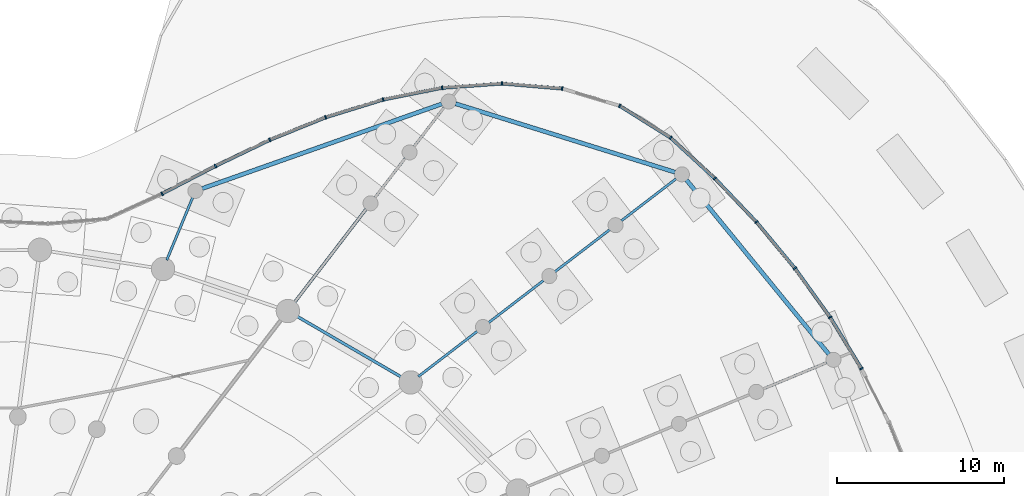
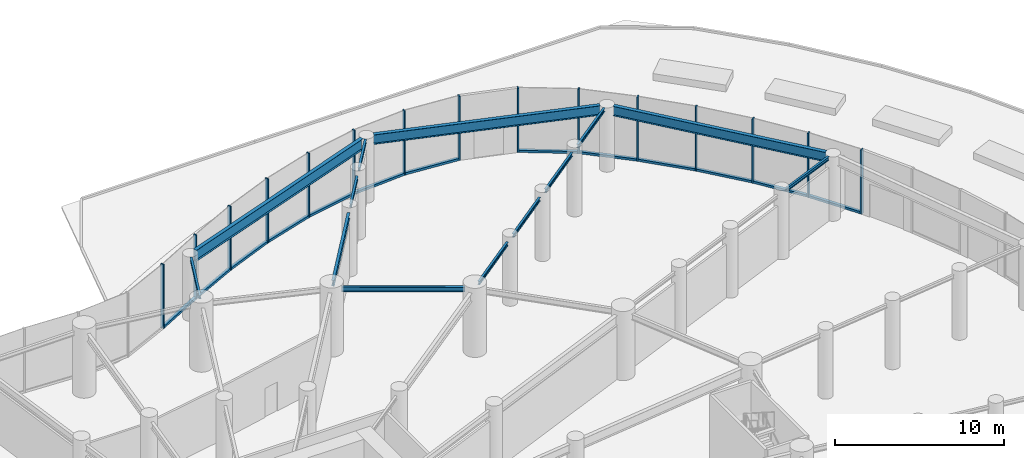
# One storey, part 12 of 28: 28 members, 13 beams, 3 elements without a shape of their own.
"""IFC4 building model written with IfcOpenShell, lengths in metres."""

from ifc_helpers import new_model, si_unit, direction, frame, origin, origin_2d, place, context, subcontext, project, spatial, rectangle, i_section, extrude, source, transform, mapped, material, layer, layer_set, material_profile, profile_set, type_object, element, aggregate, save


model = new_model("IFC4")

# Units and contexts
model_context = context("Model", 3, precision=1e-05, world=origin(), true_north=direction((0.0, 1.0)))
body_context = subcontext(model_context, "Body", "Model", "MODEL_VIEW")
ifc_project = project(units=[si_unit("LENGTHUNIT", "METRE"), si_unit("AREAUNIT", "SQUARE_METRE"), si_unit("VOLUMEUNIT", "CUBIC_METRE"), si_unit("PLANEANGLEUNIT", "RADIAN"), si_unit("MASSUNIT", "GRAM", prefix="KILO")], contexts=[model_context])

# Site, building, storey
site_placement = place(None, origin())
site = spatial("IfcSite", under=ifc_project, at=site_placement, CompositionType="ELEMENT")
building_placement = place(site_placement, origin())
building = spatial("IfcBuilding", under=site, at=building_placement, Name="Spindrift Exchange Tower", CompositionType="ELEMENT")
storey_placement = place(building_placement, origin())
storey = spatial("IfcBuildingStorey", under=building, at=storey_placement, Name="L00", CompositionType="ELEMENT", Elevation=0.0)

# Beams
ifc_material_1 = material(Name="Steel Grade 300", Category="steel")
ifc_material_profile_1 = material_profile(ifc_material_1, i_section(OverallWidth=0.14599609375, OverallDepth=0.251953125, WebThickness=0.006103515625, FlangeThickness=0.008544921875, FilletRadius=0.011962890625, at=origin_2d()), Name="250UB31.4")
ifc_profile_set_1 = profile_set([ifc_material_profile_1], Name="Steel Grade 300")
beam_type_1 = type_object("IfcBeamType", Name="Floor Beam 250UB31.4 Steel Grade 300", PredefinedType="BEAM", material=ifc_profile_set_1)
shared_shape_1 = source(origin(), body_context, "Body", "SweptSolid", [
    extrude(i_section(OverallWidth=0.14599609375, OverallDepth=0.251953125, WebThickness=0.006103515625, FlangeThickness=0.008544921875, FilletRadius=0.011962890625, at=origin_2d()), origin(), (0.0, 0.0, 1.0), 4.1396484375),
])
for number, where, z_axis, x_axis, name in (
    (1, (82.505859375, 71.407958984375, 4.52392578125), (0.793355694235, 0.608758361277, 0.0), (-0.608758361277, 0.793355694235, 0.0), "L00 radial beam R03C2"),
    (2, (86.472412109375, 74.45166015625, 4.52392578125), (0.793355694235, 0.608758361277, 0.0), (-0.608758361277, 0.793355694235, 0.0), "L00 radial beam R03C3"),
):
    element("IfcBeam", number, at=place(storey_placement, frame(where, z_axis=z_axis, x_axis=x_axis)), inside=storey, type_object=beam_type_1, Name=name, PredefinedType="BEAM", context=body_context, shape_type="MappedRepresentation", body=[
        mapped(shared_shape_1, transform((0.0, 0.0, 0.0), scale=1.0)),
    ])
shared_shape_2 = source(origin(), body_context, "Body", "SweptSolid", [
    extrude(i_section(OverallWidth=0.14599609375, OverallDepth=0.251953125, WebThickness=0.006103515625, FlangeThickness=0.008544921875, FilletRadius=0.011962890625, at=origin_2d()), origin(), (0.0, 0.0, 1.0), 4.139892578125),
])
for number, where, z_axis, x_axis, name in (
    (3, (98.910400390625, 67.430908203125, 4.52392578125), (0.923880985108, 0.382679925467, 0.0), (-0.382679925467, 0.923880985108, 0.0), "L00 radial beam R02C4"),
    (4, (90.43896484375, 77.495361328125, 4.52392578125), (0.793377548716, 0.608729878677, 0.0), (-0.608729878677, 0.793377548716, 0.0), "L00 radial beam R03C4"),
):
    element("IfcBeam", number, at=place(storey_placement, frame(where, z_axis=z_axis, x_axis=x_axis)), inside=storey, type_object=beam_type_1, Name=name, PredefinedType="BEAM", context=body_context, shape_type="MappedRepresentation", body=[
        mapped(shared_shape_2, transform((0.0, 0.0, 0.0), scale=1.0)),
    ])
shared_shape_3 = source(origin(), body_context, "Body", "SweptSolid", [
    extrude(i_section(OverallWidth=0.14599609375, OverallDepth=0.251953125, WebThickness=0.006103515625, FlangeThickness=0.008544921875, FilletRadius=0.011962890625, at=origin_2d()), origin(), (0.0, 0.0, 1.0), 4.44677734375),
])
beam_1_placement = place(storey_placement, frame((78.295654296875, 68.177490234375, 4.52392578125), z_axis=(0.79335002513, 0.608765749387, 0.0), x_axis=(-0.608765749387, 0.79335002513, 0.0)))
element("IfcBeam", 5, at=beam_1_placement, inside=storey, type_object=beam_type_1, Name="L00 radial beam R03C1", PredefinedType="BEAM", context=body_context, shape_type="MappedRepresentation", body=[
    mapped(shared_shape_3, transform((0.0, 0.0, 0.0), scale=1.0)),
])
ifc_material_profile_2 = material_profile(ifc_material_1, i_section(OverallWidth=0.177978515625, OverallDepth=0.406005859375, WebThickness=0.0078125, FlangeThickness=0.0126953125, FilletRadius=0.013916015625, at=origin_2d()), Name="410UB59.7")
ifc_profile_set_2 = profile_set([ifc_material_profile_2], Name="Steel Grade 300")
beam_type_2 = type_object("IfcBeamType", Name="Floor Beam 410UB59.7 Steel Grade 300", PredefinedType="BEAM", material=ifc_profile_set_2)
shared_shape_4 = source(origin(), body_context, "Body", "SweptSolid", [
    extrude(i_section(OverallWidth=0.177978515625, OverallDepth=0.406005859375, WebThickness=0.0078125, FlangeThickness=0.0126953125, FilletRadius=0.013916015625, at=origin_2d()), origin(), (0.0, 0.0, 1.0), 7.111328125),
])
beam_2_placement = place(storey_placement, frame((70.845458984375, 72.559814453125, 4.447021484375), z_axis=(0.608757985395, 0.793355982657, 0.0), x_axis=(-0.793355982657, 0.608757985395, 0.0)))
element("IfcBeam", 6, at=beam_2_placement, inside=storey, type_object=beam_type_2, Name="L00 radial beam R04C1", PredefinedType="BEAM", context=body_context, shape_type="MappedRepresentation", body=[
    mapped(shared_shape_4, transform((0.0, 0.0, 0.0), scale=1.0)),
])
shared_shape_5 = source(origin(), body_context, "Body", "SweptSolid", [
    extrude(i_section(OverallWidth=0.14599609375, OverallDepth=0.251953125, WebThickness=0.006103515625, FlangeThickness=0.008544921875, FilletRadius=0.011962890625, at=origin_2d()), origin(), (0.0, 0.0, 1.0), 2.978515625),
])
beam_3_placement = place(storey_placement, frame((75.697998046875, 78.8837890625, 4.52392578125), z_axis=(0.608763600102, 0.793351674348, 0.0), x_axis=(-0.793351674348, 0.608763600102, 0.0)))
element("IfcBeam", 7, at=beam_3_placement, inside=storey, type_object=beam_type_1, Name="L00 radial beam R04C2", PredefinedType="BEAM", context=body_context, shape_type="MappedRepresentation", body=[
    mapped(shared_shape_5, transform((0.0, 0.0, 0.0), scale=1.0)),
])
shared_shape_6 = source(origin(), body_context, "Body", "SweptSolid", [
    extrude(i_section(OverallWidth=0.14599609375, OverallDepth=0.251953125, WebThickness=0.006103515625, FlangeThickness=0.008544921875, FilletRadius=0.011962890625, at=origin_2d()), origin(), (0.0, 0.0, 1.0), 2.978271484375),
])
beam_4_placement = place(storey_placement, frame((78.03466796875, 81.92919921875, 4.52392578125), z_axis=(0.608803188652, 0.793321295244, 0.0), x_axis=(-0.793321295244, 0.608803188652, 0.0)))
element("IfcBeam", 8, at=beam_4_placement, inside=storey, type_object=beam_type_1, Name="L00 radial beam R04C3", PredefinedType="BEAM", context=body_context, shape_type="MappedRepresentation", body=[
    mapped(shared_shape_6, transform((0.0, 0.0, 0.0), scale=1.0)),
])
shared_shape_7 = source(origin(), body_context, "Body", "SweptSolid", [
    extrude(i_section(OverallWidth=0.14599609375, OverallDepth=0.251953125, WebThickness=0.006103515625, FlangeThickness=0.008544921875, FilletRadius=0.011962890625, at=origin_2d()), origin(), (0.0, 0.0, 1.0), 4.047119140625),
])
beam_5_placement = place(storey_placement, frame((63.244873046875, 75.147216796875, 4.52392578125), z_axis=(0.382648381401, 0.923894050317, 0.0), x_axis=(-0.923894050317, 0.382648381401, 0.0)))
element("IfcBeam", 9, at=beam_5_placement, inside=storey, type_object=beam_type_1, Name="L00 radial beam R05C1", PredefinedType="BEAM", context=body_context, shape_type="MappedRepresentation", body=[
    mapped(shared_shape_7, transform((0.0, 0.0, 0.0), scale=1.0)),
])
ifc_material_profile_3 = material_profile(ifc_material_1, i_section(OverallWidth=0.172119140625, OverallDepth=0.35888671875, WebThickness=0.008056640625, FlangeThickness=0.012939453125, FilletRadius=0.013916015625, at=origin_2d()), Name="360UB56.7")
ifc_profile_set_3 = profile_set([ifc_material_profile_3], Name="Steel Grade 300")
beam_type_3 = type_object("IfcBeamType", Name="Edge Beam 360UB56.7 Steel Grade 300", PredefinedType="SPANDREL", material=ifc_profile_set_3)
shared_shape_8 = source(origin(), body_context, "Body", "SweptSolid", [
    extrude(i_section(OverallWidth=0.172119140625, OverallDepth=0.35888671875, WebThickness=0.008056640625, FlangeThickness=0.012939453125, FilletRadius=0.013916015625, at=origin_2d()), origin(), (0.0, 0.0, 1.0), 7.33740234375),
])
beam_6_placement = place(storey_placement, frame((77.33447265625, 68.1162109375, 4.470458984375), z_axis=(-0.864211826308, 0.503128134047, 0.0), x_axis=(-0.503128134047, -0.864211826308, 0.0)))
element("IfcBeam", 10, at=beam_6_placement, inside=storey, type_object=beam_type_3, Name="L00 edge beam E03", PredefinedType="SPANDREL", context=body_context, shape_type="MappedRepresentation", body=[
    mapped(shared_shape_8, transform((0.0, 0.0, 0.0), scale=1.0)),
])
ifc_material_profile_4 = material_profile(ifc_material_1, i_section(OverallWidth=0.25, OverallDepth=0.699951171875, WebThickness=0.008056640625, FlangeThickness=0.011962890625, at=origin_2d()), Name="700WB115")
ifc_profile_set_4 = profile_set([ifc_material_profile_4], Name="Steel Grade 300")
beam_type_4 = type_object("IfcBeamType", Name="Edge Beam 700WB115 Steel Grade 300", PredefinedType="SPANDREL", material=ifc_profile_set_4)
shared_shape_9 = source(origin(), body_context, "Body", "SweptSolid", [
    extrude(i_section(OverallWidth=0.25, OverallDepth=0.699951171875, WebThickness=0.008056640625, FlangeThickness=0.011962890625, at=origin_2d()), origin(), (0.0, 0.0, 1.0), 13.470703125),
])
beam_7_placement = place(storey_placement, frame((102.860107421875, 69.5126953125, 4.300048828125), z_axis=(-0.632733333486, 0.774369762255, 0.0), x_axis=(-0.774369762255, -0.632733333486, 0.0)))
element("IfcBeam", 11, at=beam_7_placement, inside=storey, type_object=beam_type_4, Name="L00 cascade edge beam G02", PredefinedType="SPANDREL", context=body_context, shape_type="MappedRepresentation", body=[
    mapped(shared_shape_9, transform((0.0, 0.0, 0.0), scale=1.0)),
])
shared_shape_10 = source(origin(), body_context, "Body", "SweptSolid", [
    extrude(i_section(OverallWidth=0.25, OverallDepth=0.699951171875, WebThickness=0.008056640625, FlangeThickness=0.011962890625, at=origin_2d()), origin(), (0.0, 0.0, 1.0), 13.759033203125),
])
beam_8_placement = place(storey_placement, frame((93.654052734375, 80.4052734375, 4.300048828125), z_axis=(-0.954578749488, 0.297958740476, 0.0), x_axis=(-0.297958740476, -0.954578749488, 0.0)))
element("IfcBeam", 12, at=beam_8_placement, inside=storey, type_object=beam_type_4, Name="L00 cascade edge beam G03", PredefinedType="SPANDREL", context=body_context, shape_type="MappedRepresentation", body=[
    mapped(shared_shape_10, transform((0.0, 0.0, 0.0), scale=1.0)),
])
ifc_material_profile_5 = material_profile(ifc_material_1, i_section(OverallWidth=0.25, OverallDepth=0.800048828125, WebThickness=0.008056640625, FlangeThickness=0.012939453125, at=origin_2d()), Name="800WB122")
ifc_profile_set_5 = profile_set([ifc_material_profile_5], Name="Steel Grade 300")
beam_type_5 = type_object("IfcBeamType", Name="Edge Beam 800WB122 Steel Grade 300", PredefinedType="SPANDREL", material=ifc_profile_set_5)
shared_shape_11 = source(origin(), body_context, "Body", "SweptSolid", [
    extrude(i_section(OverallWidth=0.25, OverallDepth=0.800048828125, WebThickness=0.008056640625, FlangeThickness=0.012939453125, at=origin_2d()), origin(), (0.0, 0.0, 1.0), 15.208251953125),
])
beam_9_placement = place(storey_placement, frame((79.7041015625, 84.489990234375, 4.25), z_axis=(-0.942952095919, -0.332928437959, 0.0), x_axis=(0.332928437959, -0.942952095919, 0.0)))
element("IfcBeam", 13, at=beam_9_placement, inside=storey, type_object=beam_type_5, Name="L00 cascade edge beam G04", PredefinedType="SPANDREL", context=body_context, shape_type="MappedRepresentation", body=[
    mapped(shared_shape_11, transform((0.0, 0.0, 0.0), scale=1.0)),
])

# Curtain wall, members
ifc_material_2 = material(Name="Fritted laminated glass with bronze frame", Category="glass")
ifc_layer = layer(ifc_material_2, 0.219970703125)
ifc_layer_set = layer_set([ifc_layer], Name="PODIUM BRONZE GLAZED WALL")
curtain_wall_type = type_object("IfcCurtainWallType", Name="PODIUM BRONZE GLAZED WALL", PredefinedType="NOTDEFINED", material=ifc_layer_set)
curtain_wall_1_placement = place(storey_placement, origin())
curtain_wall_1 = element("IfcCurtainWall", 14, at=curtain_wall_1_placement, inside=storey, type_object=curtain_wall_type, Name="L00 Podium Bronze Glazed Wall run 2", PredefinedType="NOTDEFINED")
ifc_material_3 = material(Name="Bronze anodised aluminium", Category="aluminium")
ifc_material_profile_6 = material_profile(ifc_material_3, rectangle(XDim=0.090087890625, YDim=0.219970703125, at=origin_2d()), Name="PODIUM BRONZE GLAZED WALL MULLION 90X220")
ifc_profile_set_6 = profile_set([ifc_material_profile_6], Name="Bronze anodised aluminium")
member_type_1 = type_object("IfcMemberType", Name="PODIUM BRONZE GLAZED WALL MULLION 90X220", PredefinedType="MULLION", material=ifc_profile_set_6)
shared_shape_12 = source(origin(), body_context, "Body", "SweptSolid", [
    extrude(rectangle(XDim=0.090087890625, YDim=0.219970703125, at=origin_2d()), origin(), (0.0, 0.0, 1.0), 4.64990234375),
])
member_1_placement = place(storey_placement, frame((104.808349609375, 68.65478515625, 0.0), z_axis=(0.0, 0.0, 1.0), x_axis=(-0.488166225528, 0.872750672445, 0.0)))
member_1 = element("IfcMember", 15, at=member_1_placement, type_object=member_type_1, Name="L00 mullion CW-P.7", PredefinedType="MULLION", context=body_context, shape_type="MappedRepresentation", body=[
    mapped(shared_shape_12, transform((0.0, 0.0, 0.0), scale=1.0)),
])
member_2_placement = place(storey_placement, frame((102.930908203125, 71.7294921875, 0.0), z_axis=(0.0, 0.0, 1.0), x_axis=(-0.55284264497, 0.833285671245, 0.0)))
member_2 = element("IfcMember", 16, at=member_2_placement, type_object=member_type_1, Name="L00 mullion CW-P.8", PredefinedType="MULLION", context=body_context, shape_type="MappedRepresentation", body=[
    mapped(shared_shape_12, transform((0.0, 0.0, 0.0), scale=1.0)),
])
member_3_placement = place(storey_placement, frame((100.82763671875, 74.65478515625, 0.0), z_axis=(0.0, 0.0, 1.0), x_axis=(-0.611950864616, 0.790895782828, 0.0)))
member_3 = element("IfcMember", 17, at=member_3_placement, type_object=member_type_1, Name="L00 mullion CW-P.9", PredefinedType="MULLION", context=body_context, shape_type="MappedRepresentation", body=[
    mapped(shared_shape_12, transform((0.0, 0.0, 0.0), scale=1.0)),
])
member_4_placement = place(storey_placement, frame((98.524169921875, 77.4248046875, 0.0), z_axis=(0.0, 0.0, 1.0), x_axis=(-0.665028310368, 0.746818148152, 0.0)))
member_4 = element("IfcMember", 18, at=member_4_placement, type_object=member_type_1, Name="L00 mullion CW-P.10", PredefinedType="MULLION", context=body_context, shape_type="MappedRepresentation", body=[
    mapped(shared_shape_12, transform((0.0, 0.0, 0.0), scale=1.0)),
])
member_5_placement = place(storey_placement, frame((96.03857421875, 80.032958984375, 0.0), z_axis=(0.0, 0.0, 1.0), x_axis=(-0.713506262959, 0.700648851222, 0.0)))
member_5 = element("IfcMember", 19, at=member_5_placement, type_object=member_type_1, Name="L00 mullion CW-P.11", PredefinedType="MULLION", context=body_context, shape_type="MappedRepresentation", body=[
    mapped(shared_shape_12, transform((0.0, 0.0, 0.0), scale=1.0)),
])
member_6_placement = place(storey_placement, frame((93.385498046875, 82.470703125, 0.0), z_axis=(0.0, 0.0, 1.0), x_axis=(-0.795303875978, 0.606210973881, 0.0)))
member_6 = element("IfcMember", 20, at=member_6_placement, type_object=member_type_1, Name="L00 mullion CW-P.12", PredefinedType="MULLION", context=body_context, shape_type="MappedRepresentation", body=[
    mapped(shared_shape_12, transform((0.0, 0.0, 0.0), scale=1.0)),
])

curtain_wall_2_placement = place(storey_placement, origin())
curtain_wall_2 = element("IfcCurtainWall", 21, at=curtain_wall_2_placement, inside=storey, type_object=curtain_wall_type, Name="L00 Podium Bronze Glazed Wall run 3", PredefinedType="NOTDEFINED")
member_7_placement = place(storey_placement, frame((90.34423828125, 84.375, 0.0), z_axis=(0.0, 0.0, 1.0), x_axis=(-0.910886532046, 0.412656910444, 0.0)))
member_7 = element("IfcMember", 22, at=member_7_placement, type_object=member_type_1, Name="L00 mullion CW-P.13", PredefinedType="MULLION", context=body_context, shape_type="MappedRepresentation", body=[
    mapped(shared_shape_12, transform((0.0, 0.0, 0.0), scale=1.0)),
])
member_8_placement = place(storey_placement, frame((86.90087890625, 85.40771484375, 0.0), z_axis=(0.0, 0.0, 1.0), x_axis=(-0.982441517053, 0.186570805784, 0.0)))
member_8 = element("IfcMember", 23, at=member_8_placement, type_object=member_type_1, Name="L00 mullion CW-P.14", PredefinedType="MULLION", context=body_context, shape_type="MappedRepresentation", body=[
    mapped(shared_shape_12, transform((0.0, 0.0, 0.0), scale=1.0)),
])
member_9_placement = place(storey_placement, frame((83.314697265625, 85.70947265625, 0.0), z_axis=(0.0, 0.0, 1.0), x_axis=(-0.999980417515, 0.006258161517, 0.0)))
member_9 = element("IfcMember", 24, at=member_9_placement, type_object=member_type_1, Name="L00 mullion CW-P.15", PredefinedType="MULLION", context=body_context, shape_type="MappedRepresentation", body=[
    mapped(shared_shape_12, transform((0.0, 0.0, 0.0), scale=1.0)),
])
member_10_placement = place(storey_placement, frame((79.7236328125, 85.452392578125, 0.0), z_axis=(0.0, 0.0, 1.0), x_axis=(-0.991024052213, -0.13368368612, 0.0)))
member_10 = element("IfcMember", 25, at=member_10_placement, type_object=member_type_1, Name="L00 mullion CW-P.16", PredefinedType="MULLION", context=body_context, shape_type="MappedRepresentation", body=[
    mapped(shared_shape_12, transform((0.0, 0.0, 0.0), scale=1.0)),
])
member_11_placement = place(storey_placement, frame((76.19189453125, 84.74853515625, 0.0), z_axis=(0.0, 0.0, 1.0), x_axis=(-0.969369763805, -0.245605905915, 0.0)))
member_11 = element("IfcMember", 26, at=member_11_placement, type_object=member_type_1, Name="L00 mullion CW-P.17", PredefinedType="MULLION", context=body_context, shape_type="MappedRepresentation", body=[
    mapped(shared_shape_12, transform((0.0, 0.0, 0.0), scale=1.0)),
])
member_12_placement = place(storey_placement, frame((72.750244140625, 83.685546875, 0.0), z_axis=(0.0, 0.0, 1.0), x_axis=(-0.94214297999, -0.3352112845, 0.0)))
member_12 = element("IfcMember", 27, at=member_12_placement, type_object=member_type_1, Name="L00 mullion CW-P.18", PredefinedType="MULLION", context=body_context, shape_type="MappedRepresentation", body=[
    mapped(shared_shape_12, transform((0.0, 0.0, 0.0), scale=1.0)),
])

curtain_wall_3_placement = place(storey_placement, origin())
curtain_wall_3 = element("IfcCurtainWall", 28, at=curtain_wall_3_placement, inside=storey, type_object=curtain_wall_type, Name="L00 Podium Bronze Glazed Wall run 4", PredefinedType="NOTDEFINED")
member_13_placement = place(storey_placement, frame((69.409912109375, 82.335693359375, 0.0), z_axis=(0.0, 0.0, 1.0), x_axis=(-0.914689743658, -0.404156742919, 0.0)))
member_13 = element("IfcMember", 29, at=member_13_placement, type_object=member_type_1, Name="L00 mullion CW-P.19", PredefinedType="MULLION", context=body_context, shape_type="MappedRepresentation", body=[
    mapped(shared_shape_12, transform((0.0, 0.0, 0.0), scale=1.0)),
])
member_14_placement = place(storey_placement, frame((66.16259765625, 80.774658203125, 0.0), z_axis=(0.0, 0.0, 1.0), x_axis=(-0.894552533493, -0.446962822638, 0.0)))
member_14 = element("IfcMember", 30, at=member_14_placement, type_object=member_type_1, Name="L00 mullion CW-P.20", PredefinedType="MULLION", context=body_context, shape_type="MappedRepresentation", body=[
    mapped(shared_shape_12, transform((0.0, 0.0, 0.0), scale=1.0)),
])
member_15_placement = place(storey_placement, frame((62.9638671875, 79.11474609375, 0.0), z_axis=(0.0, 0.0, 1.0), x_axis=(-0.899429862296, -0.437065124221, 0.0)))
member_15 = element("IfcMember", 31, at=member_15_placement, type_object=member_type_1, Name="L00 mullion CW-P.21", PredefinedType="MULLION", context=body_context, shape_type="MappedRepresentation", body=[
    mapped(shared_shape_12, transform((0.0, 0.0, 0.0), scale=1.0)),
])

# Member
ifc_material_profile_7 = material_profile(ifc_material_3, rectangle(XDim=0.199951171875, YDim=0.159912109375, at=origin_2d()), Name="PODIUM BRONZE GLAZED WALL TRANSOM 200X160")
ifc_profile_set_7 = profile_set([ifc_material_profile_7], Name="Bronze anodised aluminium")
member_type_2 = type_object("IfcMemberType", Name="PODIUM BRONZE GLAZED WALL TRANSOM 200X160", PredefinedType="USERDEFINED", material=ifc_profile_set_7)
shared_shape_13 = source(origin(), body_context, "Body", "SweptSolid", [
    extrude(rectangle(XDim=0.199951171875, YDim=0.159912109375, at=origin_2d()), origin(), (0.0, 0.0, 1.0), 3.51220703125),
])
member_16_placement = place(storey_placement, frame((76.14892578125, 84.7353515625, 0.080078125), z_axis=(-0.955450766922, -0.295150524289, 0.0), x_axis=(0.295150524289, -0.955450766922, 0.0)))
member_16 = element("IfcMember", 32, at=member_16_placement, type_object=member_type_2, Name="L00 transom CW-P.17", ObjectType="TRANSOM", PredefinedType="USERDEFINED", context=body_context, shape_type="MappedRepresentation", body=[
    mapped(shared_shape_13, transform((0.0, 0.0, 0.0), scale=1.0)),
])

shared_shape_14 = source(origin(), body_context, "Body", "SweptSolid", [
    extrude(rectangle(XDim=0.199951171875, YDim=0.159912109375, at=origin_2d()), origin(), (0.0, 0.0, 1.0), 3.5126953125),
])
member_17_placement = place(storey_placement, frame((104.784912109375, 68.693115234375, 0.080078125), z_axis=(-0.521123859953, 0.853481061646, 0.0), x_axis=(-0.853481061646, -0.521123859953, 0.0)))
member_17 = element("IfcMember", 33, at=member_17_placement, type_object=member_type_2, Name="L00 transom CW-P.7", ObjectType="TRANSOM", PredefinedType="USERDEFINED", context=body_context, shape_type="MappedRepresentation", body=[
    mapped(shared_shape_14, transform((0.0, 0.0, 0.0), scale=1.0)),
])

member_18_placement = place(storey_placement, frame((102.904541015625, 71.76611328125, 0.080078125), z_axis=(-0.583753476163, 0.811930957082, 0.0), x_axis=(-0.811930957082, -0.583753476163, 0.0)))
member_18 = element("IfcMember", 34, at=member_18_placement, type_object=member_type_2, Name="L00 transom CW-P.8", ObjectType="TRANSOM", PredefinedType="USERDEFINED", context=body_context, shape_type="MappedRepresentation", body=[
    mapped(shared_shape_14, transform((0.0, 0.0, 0.0), scale=1.0)),
])

member_19_placement = place(storey_placement, frame((100.798828125, 74.689208984375, 0.080078125), z_axis=(-0.639356830538, 0.768910165913, 0.0), x_axis=(-0.768910165913, -0.639356830538, 0.0)))
member_19 = element("IfcMember", 35, at=member_19_placement, type_object=member_type_2, Name="L00 transom CW-P.9", ObjectType="TRANSOM", PredefinedType="USERDEFINED", context=body_context, shape_type="MappedRepresentation", body=[
    mapped(shared_shape_14, transform((0.0, 0.0, 0.0), scale=1.0)),
])

member_20_placement = place(storey_placement, frame((72.70849609375, 83.668701171875, 0.080078125), z_axis=(-0.927152707244, -0.374683676518, 0.0), x_axis=(0.374683676518, -0.927152707244, 0.0)))
member_20 = element("IfcMember", 36, at=member_20_placement, type_object=member_type_2, Name="L00 transom CW-P.18", ObjectType="TRANSOM", PredefinedType="USERDEFINED", context=body_context, shape_type="MappedRepresentation", body=[
    mapped(shared_shape_14, transform((0.0, 0.0, 0.0), scale=1.0)),
])

shared_shape_15 = source(origin(), body_context, "Body", "SweptSolid", [
    extrude(rectangle(XDim=0.199951171875, YDim=0.159912109375, at=origin_2d()), origin(), (0.0, 0.0, 1.0), 3.512939453125),
])
member_21_placement = place(storey_placement, frame((98.4931640625, 77.457275390625, 0.080078125), z_axis=(-0.689910232403, 0.723894931068, 0.0), x_axis=(-0.723894931068, -0.689910232403, 0.0)))
member_21 = element("IfcMember", 37, at=member_21_placement, type_object=member_type_2, Name="L00 transom CW-P.10", ObjectType="TRANSOM", PredefinedType="USERDEFINED", context=body_context, shape_type="MappedRepresentation", body=[
    mapped(shared_shape_15, transform((0.0, 0.0, 0.0), scale=1.0)),
])

shared_shape_16 = source(origin(), body_context, "Body", "SweptSolid", [
    extrude(rectangle(XDim=0.199951171875, YDim=0.159912109375, at=origin_2d()), origin(), (0.0, 0.0, 1.0), 3.51318359375),
])
member_22_placement = place(storey_placement, frame((96.00537109375, 80.063232421875, 0.080078125), z_axis=(-0.73629102491, 0.676665003261, 0.0), x_axis=(-0.676665003261, -0.73629102491, 0.0)))
member_22 = element("IfcMember", 38, at=member_22_placement, type_object=member_type_2, Name="L00 transom CW-P.11", ObjectType="TRANSOM", PredefinedType="USERDEFINED", context=body_context, shape_type="MappedRepresentation", body=[
    mapped(shared_shape_16, transform((0.0, 0.0, 0.0), scale=1.0)),
])

member_23_placement = place(storey_placement, frame((69.369384765625, 82.316162109375, 0.080078125), z_axis=(-0.901282170236, -0.433232558351, 0.0), x_axis=(0.433232558351, -0.901282170236, 0.0)))
member_23 = element("IfcMember", 39, at=member_23_placement, type_object=member_type_2, Name="L00 transom CW-P.19", ObjectType="TRANSOM", PredefinedType="USERDEFINED", context=body_context, shape_type="MappedRepresentation", body=[
    mapped(shared_shape_16, transform((0.0, 0.0, 0.0), scale=1.0)),
])

shared_shape_17 = source(origin(), body_context, "Body", "SweptSolid", [
    extrude(rectangle(XDim=0.199951171875, YDim=0.159912109375, at=origin_2d()), origin(), (0.0, 0.0, 1.0), 3.498291015625),
])
member_24_placement = place(storey_placement, frame((93.347412109375, 82.49462890625, 0.080078125), z_axis=(-0.847578524606, 0.530669995974, 0.0), x_axis=(-0.530669995974, -0.847578524606, 0.0)))
member_24 = element("IfcMember", 40, at=member_24_placement, type_object=member_type_2, Name="L00 transom CW-P.12", ObjectType="TRANSOM", PredefinedType="USERDEFINED", context=body_context, shape_type="MappedRepresentation", body=[
    mapped(shared_shape_17, transform((0.0, 0.0, 0.0), scale=1.0)),
])

aggregate(curtain_wall_1, [member_1, member_17, member_2, member_18, member_3, member_19, member_4, member_21, member_5, member_22, member_6, member_24])

shared_shape_18 = source(origin(), body_context, "Body", "SweptSolid", [
    extrude(rectangle(XDim=0.199951171875, YDim=0.159912109375, at=origin_2d()), origin(), (0.0, 0.0, 1.0), 3.5087890625),
])
member_25_placement = place(storey_placement, frame((86.85595703125, 85.411376953125, 0.080078125), z_axis=(-0.996472918435, 0.083914973789, 0.0), x_axis=(-0.083914973789, -0.996472918435, 0.0)))
member_25 = element("IfcMember", 41, at=member_25_placement, type_object=member_type_2, Name="L00 transom CW-P.14", ObjectType="TRANSOM", PredefinedType="USERDEFINED", context=body_context, shape_type="MappedRepresentation", body=[
    mapped(shared_shape_18, transform((0.0, 0.0, 0.0), scale=1.0)),
])

shared_shape_19 = source(origin(), body_context, "Body", "SweptSolid", [
    extrude(rectangle(XDim=0.199951171875, YDim=0.159912109375, at=origin_2d()), origin(), (0.0, 0.0, 1.0), 3.510498046875),
])
member_26_placement = place(storey_placement, frame((83.27001953125, 85.706298828125, 0.080078125), z_axis=(-0.997445974828, -0.071424976722, 0.0), x_axis=(0.071424976722, -0.997445974828, 0.0)))
member_26 = element("IfcMember", 42, at=member_26_placement, type_object=member_type_2, Name="L00 transom CW-P.15", ObjectType="TRANSOM", PredefinedType="USERDEFINED", context=body_context, shape_type="MappedRepresentation", body=[
    mapped(shared_shape_19, transform((0.0, 0.0, 0.0), scale=1.0)),
])

shared_shape_20 = source(origin(), body_context, "Body", "SweptSolid", [
    extrude(rectangle(XDim=0.199951171875, YDim=0.159912109375, at=origin_2d()), origin(), (0.0, 0.0, 1.0), 3.51123046875),
])
member_27_placement = place(storey_placement, frame((79.6796875, 85.443603515625, 0.080078125), z_axis=(-0.980714158437, -0.19544753629, 0.0), x_axis=(0.19544753629, -0.980714158437, 0.0)))
member_27 = element("IfcMember", 43, at=member_27_placement, type_object=member_type_2, Name="L00 transom CW-P.16", ObjectType="TRANSOM", PredefinedType="USERDEFINED", context=body_context, shape_type="MappedRepresentation", body=[
    mapped(shared_shape_20, transform((0.0, 0.0, 0.0), scale=1.0)),
])

aggregate(curtain_wall_2, [member_7, member_8, member_25, member_9, member_26, member_10, member_27, member_11, member_16, member_12, member_20])

shared_shape_21 = source(origin(), body_context, "Body", "SweptSolid", [
    extrude(rectangle(XDim=0.199951171875, YDim=0.159912109375, at=origin_2d()), origin(), (0.0, 0.0, 1.0), 3.513671875),
])
member_28_placement = place(storey_placement, frame((66.12255859375, 80.75390625, 0.080078125), z_axis=(-0.88759988691, -0.46061528498, 0.0), x_axis=(0.46061528498, -0.88759988691, 0.0)))
member_28 = element("IfcMember", 44, at=member_28_placement, type_object=member_type_2, Name="L00 transom CW-P.20", ObjectType="TRANSOM", PredefinedType="USERDEFINED", context=body_context, shape_type="MappedRepresentation", body=[
    mapped(shared_shape_21, transform((0.0, 0.0, 0.0), scale=1.0)),
])

aggregate(curtain_wall_3, [member_13, member_23, member_14, member_28, member_15])

save(model, "model.ifc")
